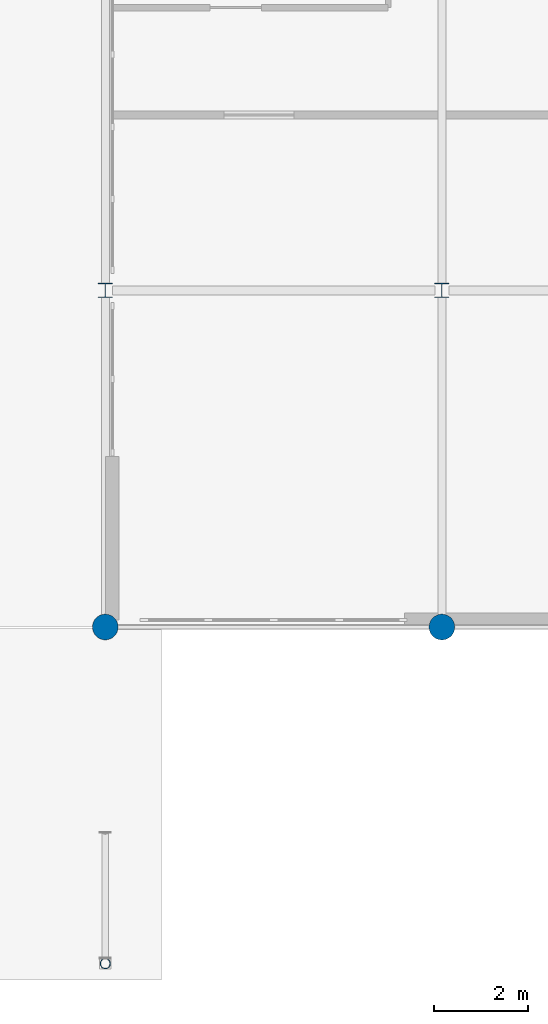
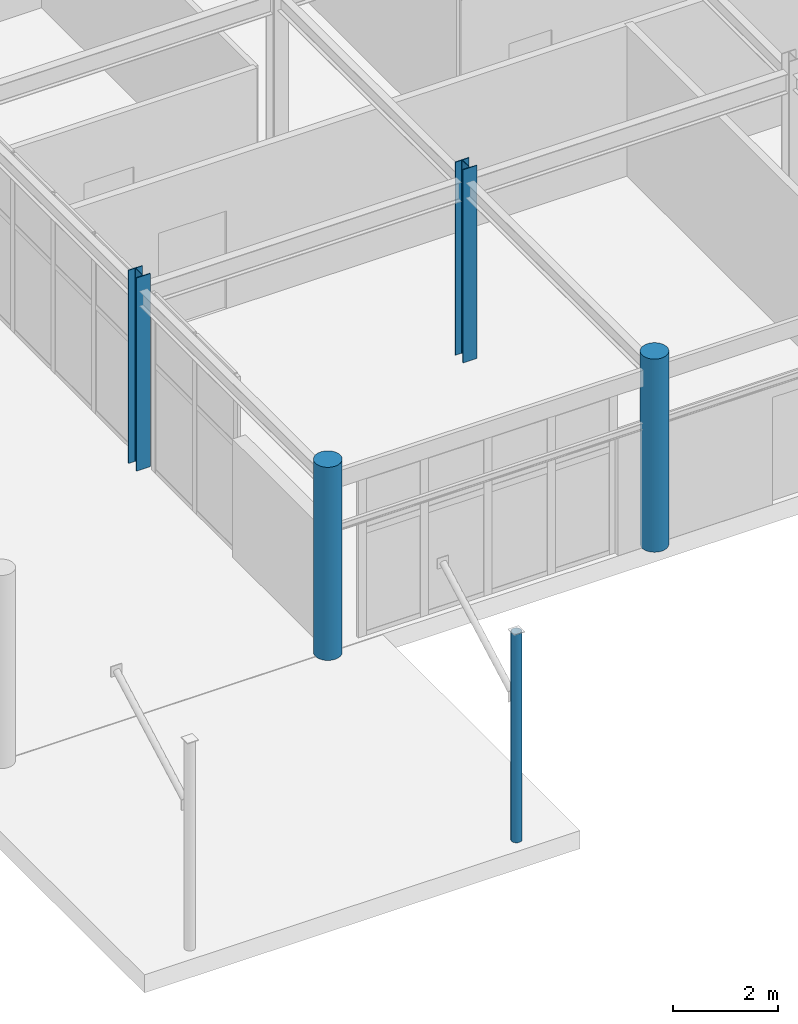
# One storey, part 6 of 85: 5 columns.
"""IFC4 building model written with IfcOpenShell, lengths in metres."""

from ifc_helpers import new_model, si_unit, direction, frame, origin, origin_2d, place, context, subcontext, project, spatial, circle, hollow_circle, i_section, extrude, material, material_profile, profile_set, type_object, element, save


model = new_model("IFC4")

# Units and contexts
model_context = context("Model", 3, precision=1e-05, world=origin(), true_north=direction((0.0, 1.0)))
body_context = subcontext(model_context, "Body", "Model", "MODEL_VIEW")
ifc_project = project(units=[si_unit("LENGTHUNIT", "METRE"), si_unit("AREAUNIT", "SQUARE_METRE"), si_unit("VOLUMEUNIT", "CUBIC_METRE"), si_unit("PLANEANGLEUNIT", "RADIAN"), si_unit("MASSUNIT", "GRAM", prefix="KILO")], contexts=[model_context])

# Site, building, storey
site_placement = place(None, origin())
site = spatial("IfcSite", under=ifc_project, at=site_placement, CompositionType="ELEMENT")
building_placement = place(site_placement, origin())
building = spatial("IfcBuilding", under=site, at=building_placement, Name="Ochrevale Crest", CompositionType="ELEMENT")
storey_placement = place(building_placement, origin())
storey = spatial("IfcBuildingStorey", under=building, at=storey_placement, Name="L00", CompositionType="ELEMENT", Elevation=0.0)

# Columns
ifc_material_1 = material(Name="Steel S355", Category="steel")
ifc_material_profile_1 = material_profile(ifc_material_1, hollow_circle(Radius=0.109619140625, WallThickness=0.00830078125, at=origin_2d()), Name="219.1x8.2CHS")
ifc_profile_set_1 = profile_set([ifc_material_profile_1], Name="Steel S355")
column_type_1 = type_object("IfcColumnType", Name="COL-CHS219", PredefinedType="COLUMN", material=ifc_profile_set_1)
column_placement = place(storey_placement, frame((86.39990234375, 0.0, 0.0), z_axis=(0.0, 0.0, 1.0), x_axis=(1.0, 0.0, 0.0)))
element("IfcColumn", 1, at=column_placement, inside=storey, type_object=column_type_1, Name="Parabolic entrance canopy south boulevard CHS column", PredefinedType="COLUMN", context=body_context, shape_type="SweptSolid", body=[
    extrude(hollow_circle(Radius=0.109619140625, WallThickness=0.00830078125, at=origin_2d()), origin(), (0.0, 0.0, 1.0), 4.860107421875),
])
ifc_material_2 = material(Name="Precast concrete C50/60", Category="concrete")
ifc_material_profile_2 = material_profile(ifc_material_2, circle(Radius=0.27490234375, at=origin_2d()), Name="RC D550")
ifc_profile_set_2 = profile_set([ifc_material_profile_2], Name="Precast concrete C50/60")
column_type_2 = type_object("IfcColumnType", Name="COL-RCD550", PredefinedType="COLUMN", material=ifc_profile_set_2)
for number, where, z_axis, x_axis, name in (
    (2, (86.39990234375, 7.199951171875, 0.0), (0.0, 0.0, 1.0), (1.0, 0.0, 0.0), "Retail arcade L00 column (86.4,7.2)"),
    (3, (93.60009765625, 7.199951171875, 0.0), (0.0, 0.0, 1.0), (1.0, 0.0, 0.0), "Retail arcade L00 column (93.6,7.2)"),
):
    element("IfcColumn", number, at=place(storey_placement, frame(where, z_axis=z_axis, x_axis=x_axis)), inside=storey, type_object=column_type_2, Name=name, PredefinedType="COLUMN", context=body_context, shape_type="SweptSolid", body=[
        extrude(circle(Radius=0.27490234375, at=origin_2d()), origin(), (0.0, 0.0, 1.0), 4.5),
    ])
ifc_material_profile_3 = material_profile(ifc_material_1, i_section(OverallWidth=0.306884765625, OverallDepth=0.314697265625, WebThickness=0.011962890625, FlangeThickness=0.018798828125, FilletRadius=0.0166015625, at=origin_2d()), Name="310UC118")
ifc_profile_set_3 = profile_set([ifc_material_profile_3], Name="Steel S355")
column_type_3 = type_object("IfcColumnType", Name="COL-UC310B", PredefinedType="COLUMN", material=ifc_profile_set_3)
for number, where, z_axis, x_axis, name in (
    (4, (86.39990234375, 14.39990234375, 0.0), (0.0, 0.0, 1.0), (1.0, 0.0, 0.0), "Retail arcade L00 column (86.4,14.4)"),
    (5, (93.60009765625, 14.39990234375, 0.0), (0.0, 0.0, 1.0), (1.0, 0.0, 0.0), "Retail arcade L00 column (93.6,14.4)"),
):
    element("IfcColumn", number, at=place(storey_placement, frame(where, z_axis=z_axis, x_axis=x_axis)), inside=storey, type_object=column_type_3, Name=name, PredefinedType="COLUMN", context=body_context, shape_type="SweptSolid", body=[
        extrude(i_section(OverallWidth=0.306884765625, OverallDepth=0.314697265625, WebThickness=0.011962890625, FlangeThickness=0.018798828125, FilletRadius=0.0166015625, at=origin_2d()), origin(), (0.0, 0.0, 1.0), 4.5),
    ])

save(model, "model.ifc")
